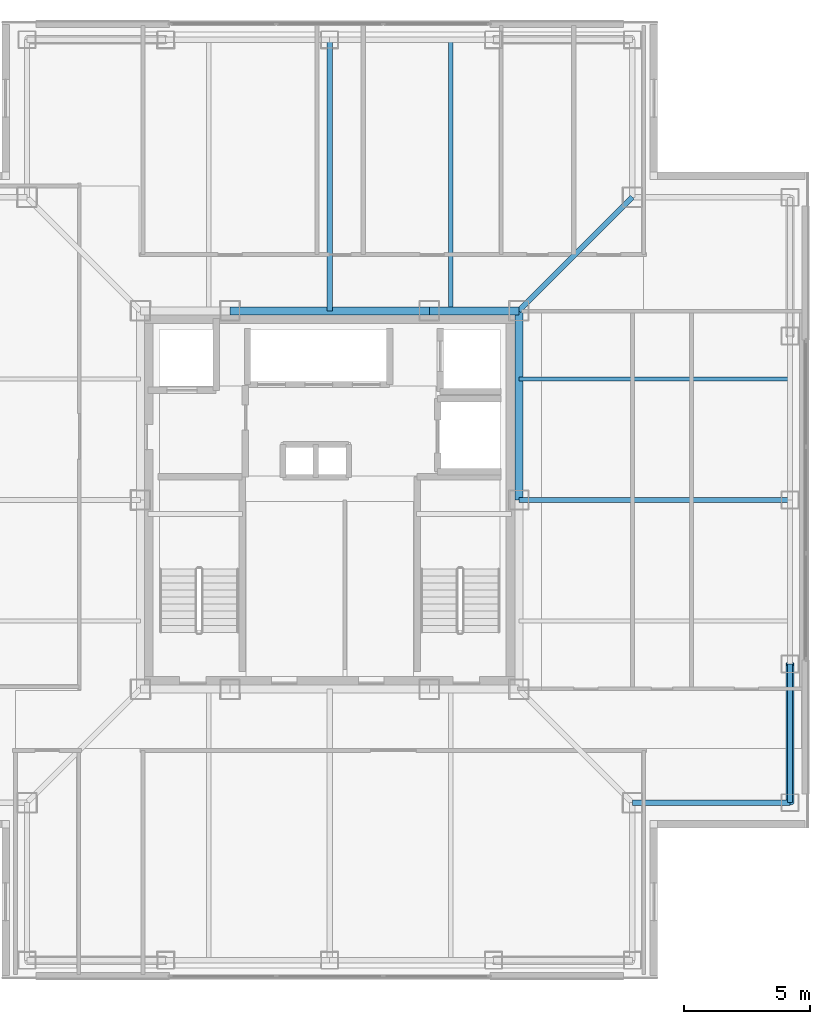
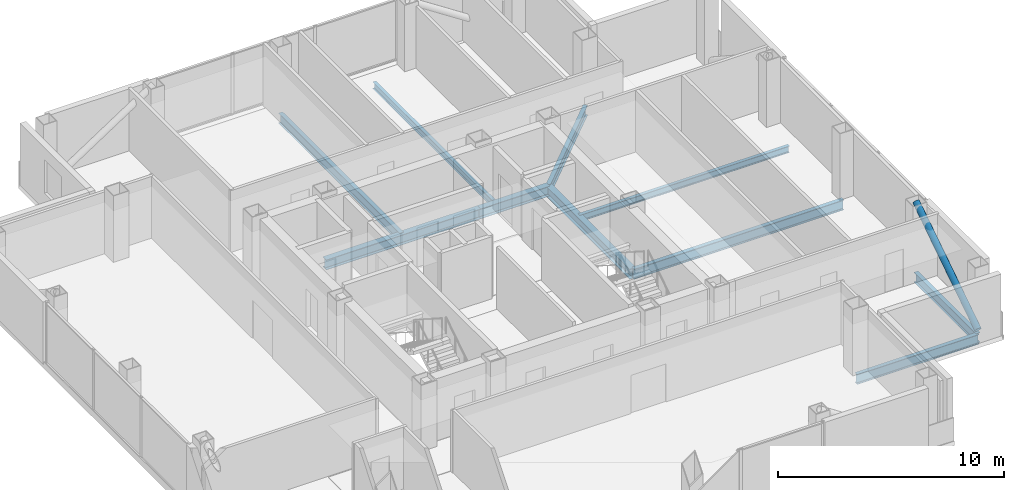
# One storey, part 5 of 16: 10 beams, 1 member.
"""IFC4 building model written with IfcOpenShell, lengths in metres."""

from ifc_helpers import new_model, si_unit, direction, frame, origin, origin_2d, place, context, subcontext, project, spatial, hollow_circle, i_section, extrude, material, material_profile, profile_set, type_object, element, save


model = new_model("IFC4")

# Units and contexts
model_context = context("Model", 3, precision=1e-05, world=origin(), true_north=direction((0.0, 1.0)))
body_context = subcontext(model_context, "Body", "Model", "MODEL_VIEW")
ifc_project = project(units=[si_unit("LENGTHUNIT", "METRE"), si_unit("AREAUNIT", "SQUARE_METRE"), si_unit("VOLUMEUNIT", "CUBIC_METRE"), si_unit("PLANEANGLEUNIT", "RADIAN"), si_unit("MASSUNIT", "GRAM", prefix="KILO")], contexts=[model_context])

# Site, building, storey
site_placement = place(None, origin())
site = spatial("IfcSite", under=ifc_project, at=site_placement, CompositionType="ELEMENT")
building_placement = place(site_placement, origin())
building = spatial("IfcBuilding", under=site, at=building_placement, Name="Trevonay Congress Spire", CompositionType="ELEMENT")
storey_placement = place(building_placement, frame((0.0, 0.0, 246.800048828125)))
storey = spatial("IfcBuildingStorey", under=building, at=storey_placement, Name="L64", CompositionType="ELEMENT", Elevation=246.800048828125)

# Beams
ifc_material_1 = material(Name="Steel ASTM A572 Grade 50", Category="steel")
ifc_material_profile_1 = material_profile(ifc_material_1, i_section(OverallWidth=0.2119140625, OverallDepth=0.5439453125, WebThickness=0.01318359375, FlangeThickness=0.021240234375, FilletRadius=0.014892578125, at=origin_2d()), Name="W530x123")
ifc_profile_set_1 = profile_set([ifc_material_profile_1], Name="Steel ASTM A572 Grade 50")
beam_type_1 = type_object("IfcBeamType", Name="BM-GIRD-W530X123", PredefinedType="BEAM", material=ifc_profile_set_1)
beam_1_placement = place(storey_placement, frame((7.5, 7.5, -0.511962890625), z_axis=(0.707106781187, 0.707106781187, 0.0), x_axis=(-0.707106781187, 0.707106781187, 0.0)))
element("IfcBeam", 1, at=beam_1_placement, inside=storey, type_object=beam_type_1, Name="L64 structural beam BM-L64-CDNE", PredefinedType="BEAM", context=body_context, shape_type="SweptSolid", body=[
    extrude(i_section(OverallWidth=0.2119140625, OverallDepth=0.5439453125, WebThickness=0.01318359375, FlangeThickness=0.021240234375, FilletRadius=0.014892578125, at=origin_2d()), origin(), (0.0, 0.0, 1.0), 6.364013671875),
])
for number, where, z_axis, x_axis, name in (
    (2, (0.0, 7.5, -0.511962890625), (0.0, 1.0, 0.0), (-1.0, 0.0, 0.0), "L64 structural beam BM-L64-GC-N"),
    (3, (7.5, 0.0, -0.511962890625), (1.0, 0.0, 0.0), (0.0, 1.0, 0.0), "L64 structural beam BM-L64-GC-E"),
):
    element("IfcBeam", number, at=place(storey_placement, frame(where, z_axis=z_axis, x_axis=x_axis)), inside=storey, type_object=beam_type_1, Name=name, PredefinedType="BEAM", context=body_context, shape_type="SweptSolid", body=[
        extrude(i_section(OverallWidth=0.2119140625, OverallDepth=0.5439453125, WebThickness=0.01318359375, FlangeThickness=0.021240234375, FilletRadius=0.014892578125, at=origin_2d()), origin(), (0.0, 0.0, 1.0), 10.75),
    ])
ifc_material_profile_2 = material_profile(ifc_material_1, i_section(OverallWidth=0.31201171875, OverallDepth=0.54296875, WebThickness=0.0126953125, FlangeThickness=0.020263671875, FilletRadius=0.014892578125, at=origin_2d()), Name="W530x150")
ifc_profile_set_2 = profile_set([ifc_material_profile_2], Name="Steel ASTM A572 Grade 50")
beam_type_2 = type_object("IfcBeamType", Name="BM-GIRD-W530X150", PredefinedType="BEAM", material=ifc_profile_set_2)
beam_2_placement = place(storey_placement, frame((-3.949951171875, 7.5, -0.511474609375), z_axis=(1.0, 0.0, 0.0), x_axis=(0.0, 1.0, 0.0)))
element("IfcBeam", 4, at=beam_2_placement, inside=storey, type_object=beam_type_2, Name="L64 structural beam BM-L64-CR-N2", PredefinedType="BEAM", context=body_context, shape_type="SweptSolid", body=[
    extrude(i_section(OverallWidth=0.31201171875, OverallDepth=0.54296875, WebThickness=0.0126953125, FlangeThickness=0.020263671875, FilletRadius=0.014892578125, at=origin_2d()), origin(), (0.0, 0.0, 1.0), 7.89990234375),
])
beam_3_placement = place(storey_placement, frame((3.949951171875, 7.5, -0.511474609375), z_axis=(1.0, 0.0, 0.0), x_axis=(0.0, 1.0, 0.0)))
element("IfcBeam", 5, at=beam_3_placement, inside=storey, type_object=beam_type_2, Name="L64 structural beam BM-L64-CR-N3", PredefinedType="BEAM", context=body_context, shape_type="SweptSolid", body=[
    extrude(i_section(OverallWidth=0.31201171875, OverallDepth=0.54296875, WebThickness=0.0126953125, FlangeThickness=0.020263671875, FilletRadius=0.014892578125, at=origin_2d()), origin(), (0.0, 0.0, 1.0), 3.550048828125),
])
beam_4_placement = place(storey_placement, frame((7.5, 0.0, -0.511474609375), z_axis=(0.0, 1.0, 0.0), x_axis=(-1.0, 0.0, 0.0)))
element("IfcBeam", 6, at=beam_4_placement, inside=storey, type_object=beam_type_2, Name="L64 structural beam BM-L64-CR-E2", PredefinedType="BEAM", context=body_context, shape_type="SweptSolid", body=[
    extrude(i_section(OverallWidth=0.31201171875, OverallDepth=0.54296875, WebThickness=0.0126953125, FlangeThickness=0.020263671875, FilletRadius=0.014892578125, at=origin_2d()), origin(), (0.0, 0.0, 1.0), 7.5),
])
ifc_material_profile_3 = material_profile(ifc_material_1, i_section(OverallWidth=0.208984375, OverallDepth=0.532958984375, WebThickness=0.01025390625, FlangeThickness=0.015625, FilletRadius=0.014892578125, at=origin_2d()), Name="W530x92")
ifc_profile_set_3 = profile_set([ifc_material_profile_3], Name="Steel ASTM A572 Grade 50")
beam_type_3 = type_object("IfcBeamType", Name="BM-RING-W530X92", PredefinedType="BEAM", material=ifc_profile_set_3)
beam_5_placement = place(storey_placement, frame((18.25, -12.0, -0.506591796875), z_axis=(0.0, 1.0, 0.0), x_axis=(-1.0, 0.0, 0.0)))
element("IfcBeam", 7, at=beam_5_placement, inside=storey, type_object=beam_type_3, Name="L64 structural beam BM-L64-PE1", PredefinedType="BEAM", context=body_context, shape_type="SweptSolid", body=[
    extrude(i_section(OverallWidth=0.208984375, OverallDepth=0.532958984375, WebThickness=0.01025390625, FlangeThickness=0.015625, FilletRadius=0.014892578125, at=origin_2d()), origin(), (0.0, 0.0, 1.0), 5.5),
])
beam_6_placement = place(storey_placement, frame((18.25, -12.0, -0.506591796875), z_axis=(-1.0, 0.0, 0.0), x_axis=(0.0, -1.0, 0.0)))
element("IfcBeam", 8, at=beam_6_placement, inside=storey, type_object=beam_type_3, Name="L64 structural beam BM-L64-N2SE", PredefinedType="BEAM", context=body_context, shape_type="SweptSolid", body=[
    extrude(i_section(OverallWidth=0.208984375, OverallDepth=0.532958984375, WebThickness=0.01025390625, FlangeThickness=0.015625, FilletRadius=0.014892578125, at=origin_2d()), origin(), (0.0, 0.0, 1.0), 6.25),
])
ifc_material_profile_4 = material_profile(ifc_material_1, i_section(OverallWidth=0.172119140625, OverallDepth=0.35791015625, WebThickness=0.0078125, FlangeThickness=0.01318359375, FilletRadius=0.011962890625, at=origin_2d()), Name="W360x57.8")
ifc_profile_set_4 = profile_set([ifc_material_profile_4], Name="Steel ASTM A572 Grade 50")
beam_type_4 = type_object("IfcBeamType", Name="JS-COMP-W360X57", PredefinedType="JOIST", material=ifc_profile_set_4)
for number, where, z_axis, x_axis, name in (
    (9, (4.800048828125, 7.5, -0.4189453125), (0.0, 1.0, 0.0), (-1.0, 0.0, 0.0), "L64 structural beam JS-L64-NS-N3"),
    (10, (7.5, 4.800048828125, -0.4189453125), (1.0, 0.0, 0.0), (0.0, 1.0, 0.0), "L64 structural beam JS-L64-EW-E3"),
):
    element("IfcBeam", number, at=place(storey_placement, frame(where, z_axis=z_axis, x_axis=x_axis)), inside=storey, type_object=beam_type_4, Name=name, PredefinedType="JOIST", context=body_context, shape_type="SweptSolid", body=[
        extrude(i_section(OverallWidth=0.172119140625, OverallDepth=0.35791015625, WebThickness=0.0078125, FlangeThickness=0.01318359375, FilletRadius=0.011962890625, at=origin_2d()), origin(), (0.0, 0.0, 1.0), 10.75),
    ])

# Member
ifc_material_2 = material(Name="Steel ASTM A500 Grade C", Category="steel")
ifc_material_profile_5 = material_profile(ifc_material_2, hollow_circle(Radius=0.161865234375, WallThickness=0.01611328125, at=origin_2d()), Name="CHS 323.9x16")
ifc_profile_set_5 = profile_set([ifc_material_profile_5], Name="Steel ASTM A500 Grade C")
member_type = type_object("IfcMemberType", Name="MBR-TUBE-CHS324", PredefinedType="BRACE", material=ifc_profile_set_5)
member_placement = place(storey_placement, frame((18.25, -12.0, -0.050048828125), z_axis=(0.0, 0.836694709366, 0.547669574943), x_axis=(-1.0, 0.0, 0.0)))
element("IfcMember", 11, at=member_placement, inside=storey, type_object=member_type, Name="L64 perimeter braced-tube diagonal E0", PredefinedType="BRACE", context=body_context, shape_type="SweptSolid", body=[
    extrude(hollow_circle(Radius=0.161865234375, WallThickness=0.01611328125, at=origin_2d()), origin(), (0.0, 0.0, 1.0), 6.573486328125),
])

save(model, "model.ifc")
